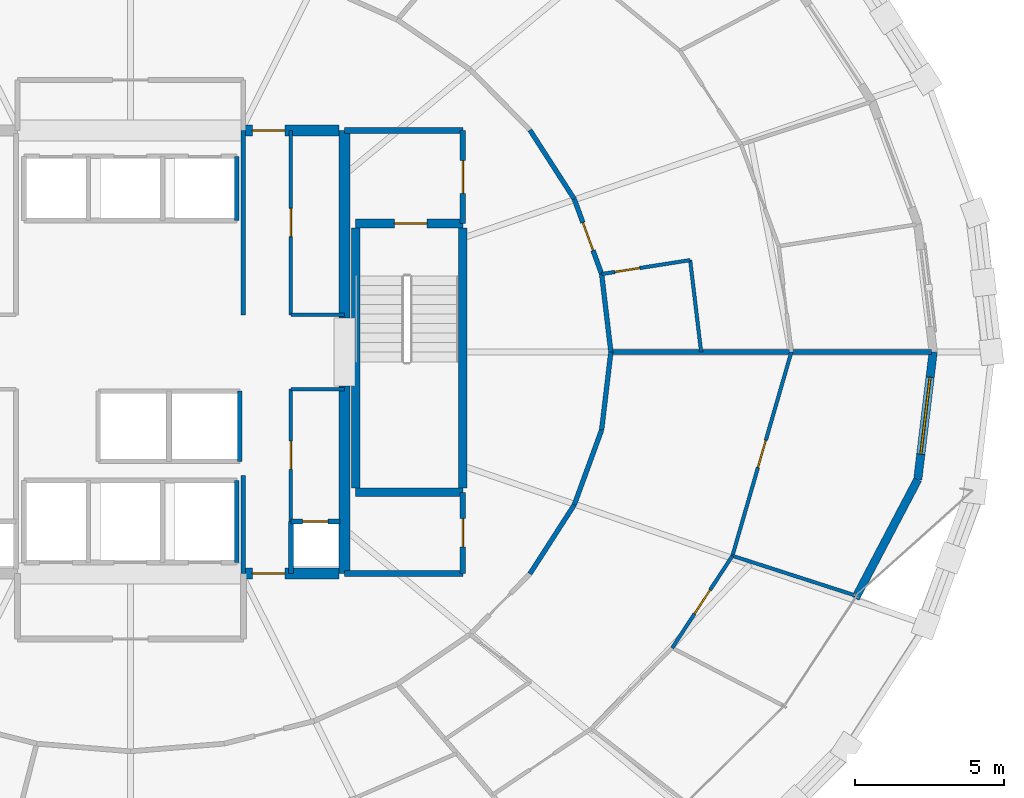
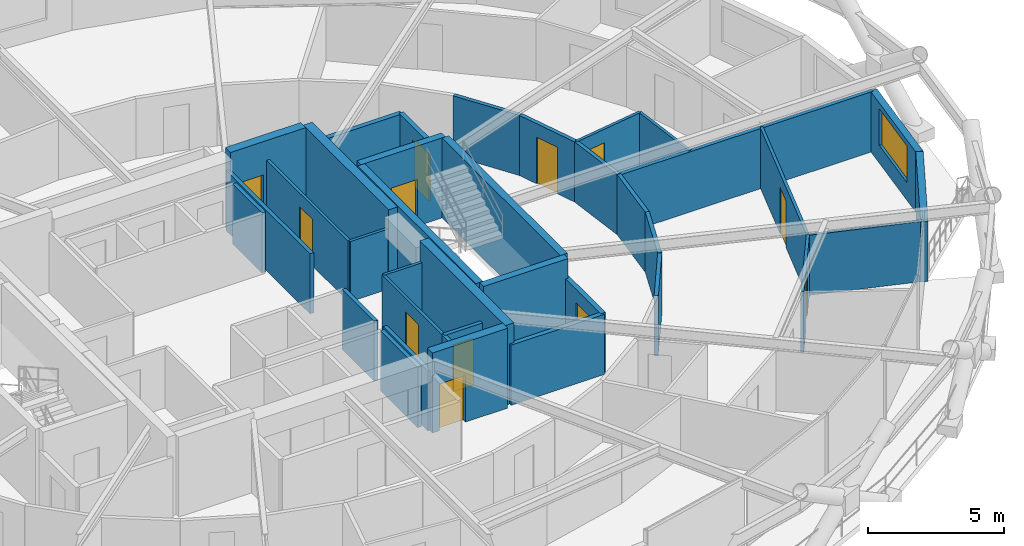
# One storey, part 17 of 21: 37 walls, 12 doors, 1 window, 13 openings.
"""IFC4 building model written with IfcOpenShell, lengths in metres."""

from ifc_helpers import new_model, si_unit, direction, frame, frame_2d, origin, place, context, subcontext, project, spatial, rectangle, extrude, material, layer, layer_set, type_object, element, fill, save


model = new_model("IFC4")

# Units and contexts
model_context = context("Model", 3, precision=1e-05, world=origin(), true_north=direction((0.0, 1.0)))
body_context = subcontext(model_context, "Body", "Model", "MODEL_VIEW")
ifc_project = project(units=[si_unit("LENGTHUNIT", "METRE"), si_unit("AREAUNIT", "SQUARE_METRE"), si_unit("VOLUMEUNIT", "CUBIC_METRE"), si_unit("PLANEANGLEUNIT", "RADIAN"), si_unit("MASSUNIT", "GRAM", prefix="KILO")], contexts=[model_context])

# Site, building, storey
site_placement = place(None, origin())
site = spatial("IfcSite", under=ifc_project, at=site_placement, CompositionType="ELEMENT")
building_placement = place(site_placement, origin())
building = spatial("IfcBuilding", under=site, at=building_placement, Name="Veldorina Hangang Commons", CompositionType="ELEMENT")
storey_placement = place(building_placement, frame((0.0, 0.0, 73.60009765625)))
storey = spatial("IfcBuildingStorey", under=building, at=storey_placement, Name="L18", CompositionType="ELEMENT", Elevation=73.60009765625)

# Walls
ifc_material_1 = material(Name="Concrete C70/85", Category="concrete")
ifc_layer_1 = layer(ifc_material_1, 0.3798828125)
ifc_layer_set_1 = layer_set([ifc_layer_1], Name="Concrete C70/85")
wall_type_1 = type_object("IfcWallType", Name="CW-RC380-C70", PredefinedType="SHEAR", material=ifc_layer_set_1)
for number, where, z_axis, x_axis, name in (
    (1, (39.199951171875, 16.550048828125, 0.0), (0.0, 0.0, 1.0), (0.0, 1.0, 0.0), "L18 E south core shear wall"),
    (2, (39.199951171875, 25.14990234375, 0.0), (0.0, 0.0, 1.0), (0.0, 1.0, 0.0), "L18 E north core shear wall"),
):
    element("IfcWall", number, at=place(storey_placement, frame(where, z_axis=z_axis, x_axis=x_axis)), inside=storey, type_object=wall_type_1, Name=name, PredefinedType="SHEAR", context=body_context, shape_type="SweptSolid", body=[
        extrude(rectangle(XDim=6.300048828125, YDim=0.3798828125, at=frame_2d((3.14990234375, 0.0))), origin(), (0.0, 0.0, 1.0), 3.599853515625),
    ])

# Wall, opening, door
wall_1_placement = place(storey_placement, frame((35.800048828125, 16.550048828125, 0.0), z_axis=(0.0, 0.0, 1.0), x_axis=(1.0, 0.0, 0.0)))
wall_1 = element("IfcWall", 3, at=wall_1_placement, inside=storey, type_object=wall_type_1, Name="L18 south-east core shear wall", PredefinedType="SHEAR", context=body_context, shape_type="SweptSolid", body=[
    extrude(rectangle(XDim=3.2099609375, YDim=0.3798828125, at=frame_2d((1.60498046875, 0.0))), origin(), (0.0, 0.0, 1.0), 3.599853515625),
])
opening_1_placement = place(wall_1_placement, frame((0.300048828125, 0.0, 0.0)))
opening_1 = element("IfcOpeningElement", 4, at=opening_1_placement, cuts=wall_1, Name="Opening D-08", PredefinedType="OPENING", context=body_context, shape_type="SweptSolid", body=[
    extrude(rectangle(XDim=1.10009765625, YDim=2.10009765625, at=frame_2d((0.550048828125, 1.050048828125))), frame((0.0, 0.199951171875, 0.0), z_axis=(0.0, -1.0, 0.0), x_axis=(1.0, 0.0, 0.0)), (0.0, 0.0, 1.0), 0.39990234375),
])
ifc_material_2 = material(Name="Steel Fire-Rated Smoke Seal", Category="steel")
door_type_1 = type_object("IfcDoorType", Name="DR-FIRE-1100", OperationType="SINGLE_SWING_RIGHT", PredefinedType="DOOR", material=ifc_material_2)
door_1_placement = place(opening_1_placement, origin())
door_1 = element("IfcDoor", 5, at=door_1_placement, inside=storey, type_object=door_type_1, Name="L18 central lift lobby south corridor door", OperationType="SINGLE_SWING_RIGHT", OverallHeight=2.10009765625, OverallWidth=1.10009765625, PredefinedType="DOOR", context=body_context, shape_type="SweptSolid", body=[
    extrude(rectangle(XDim=1.10009765625, YDim=2.10009765625, at=frame_2d((0.550048828125, 1.050048828125))), frame((0.0, 0.02490234375, 0.0), z_axis=(0.0, -1.0, 0.0), x_axis=(1.0, 0.0, 0.0)), (0.0, 0.0, 1.0), 0.050048828125),
])
fill(opening_1, door_1)

wall_2_placement = place(storey_placement, frame((35.800048828125, 31.449951171875, 0.0), z_axis=(0.0, 0.0, 1.0), x_axis=(1.0, 0.0, 0.0)))
wall_2 = element("IfcWall", 6, at=wall_2_placement, inside=storey, type_object=wall_type_1, Name="L18 north-east core shear wall", PredefinedType="SHEAR", context=body_context, shape_type="SweptSolid", body=[
    extrude(rectangle(XDim=3.2099609375, YDim=0.3798828125, at=frame_2d((1.60498046875, 0.0))), origin(), (0.0, 0.0, 1.0), 3.599853515625),
])
opening_2_placement = place(wall_2_placement, frame((0.300048828125, 0.0, 0.0)))
opening_2 = element("IfcOpeningElement", 7, at=opening_2_placement, cuts=wall_2, Name="Opening D-08", PredefinedType="OPENING", context=body_context, shape_type="SweptSolid", body=[
    extrude(rectangle(XDim=1.10009765625, YDim=2.10009765625, at=frame_2d((0.550048828125, 1.050048828125))), frame((0.0, 0.199951171875, 0.0), z_axis=(0.0, -1.0, 0.0), x_axis=(1.0, 0.0, 0.0)), (0.0, 0.0, 1.0), 0.39990234375),
])
door_2_placement = place(opening_2_placement, origin())
door_2 = element("IfcDoor", 8, at=door_2_placement, inside=storey, type_object=door_type_1, Name="L18 central lift lobby north corridor door", OperationType="SINGLE_SWING_LEFT", OverallHeight=2.10009765625, OverallWidth=1.10009765625, PredefinedType="DOOR", context=body_context, shape_type="SweptSolid", body=[
    extrude(rectangle(XDim=1.10009765625, YDim=2.10009765625, at=frame_2d((0.550048828125, 1.050048828125))), frame((0.0, 0.02490234375, 0.0), z_axis=(0.0, -1.0, 0.0), x_axis=(1.0, 0.0, 0.0)), (0.0, 0.0, 1.0), 0.050048828125),
])
fill(opening_2, door_2)

# Wall
ifc_material_3 = material(Name="Stone Roman Travertine", Category="masonry")
ifc_layer_2 = layer(ifc_material_3, 0.280029296875)
ifc_layer_set_2 = layer_set([ifc_layer_2], Name="Stone Roman Travertine")
wall_type_2 = type_object("IfcWallType", Name="EW-TRAV-280", PredefinedType="STANDARD", material=ifc_layer_set_2)
wall_3_placement = place(storey_placement, frame((56.38671875, 15.712890625, 0.0), z_axis=(0.0, 0.0, 1.0), x_axis=(0.464789355362, 0.885421286813, 0.0)))
element("IfcWall", 9, at=wall_3_placement, inside=storey, type_object=wall_type_2, Name="L18 travertine facade wall 30", PredefinedType="STANDARD", context=body_context, shape_type="SweptSolid", body=[
    extrude(rectangle(XDim=4.511474609375, YDim=0.280029296875, at=frame_2d((2.255859375, 0.0))), origin(), (0.0, 0.0, 1.0), 2.7099609375),
])

# Wall, opening, window
wall_4_placement = place(storey_placement, frame((58.483642578125, 19.70751953125, 0.0), z_axis=(0.0, 0.0, 1.0), x_axis=(0.119989041881, 0.992775216164, 0.0)))
wall_4 = element("IfcWall", 10, at=wall_4_placement, inside=storey, type_object=wall_type_2, Name="L18 travertine facade wall 31", PredefinedType="STANDARD", context=body_context, shape_type="SweptSolid", body=[
    extrude(rectangle(XDim=4.32373046875, YDim=0.280029296875, at=frame_2d((2.161865234375, 0.0))), origin(), (0.0, 0.0, 1.0), 2.7099609375),
])
opening_3_placement = place(wall_4_placement, frame((0.86181640625, 0.0, 0.800048828125)))
opening_3 = element("IfcOpeningElement", 11, at=opening_3_placement, cuts=wall_4, Name="Opening W-02", PredefinedType="OPENING", context=body_context, shape_type="SweptSolid", body=[
    extrude(rectangle(XDim=2.60009765625, YDim=1.64990234375, at=frame_2d((1.300048828125, 0.824951171875))), frame((0.0, 0.14990234375, 0.0), z_axis=(0.0, -1.0, 0.0), x_axis=(1.0, 0.0, 0.0)), (0.0, 0.0, 1.0), 0.300048828125),
])
ifc_material_4 = material(Name="Glass Low-E Triple IGU", Category="glass")
window_type = type_object("IfcWindowType", Name="WIN-TWR-2600", PartitioningType="SINGLE_PANEL", PredefinedType="WINDOW", material=ifc_material_4)
window_placement = place(opening_3_placement, origin())
window = element("IfcWindow", 12, at=window_placement, inside=storey, type_object=window_type, Name="L18 facade window 31", OverallHeight=1.64990234375, OverallWidth=2.60009765625, PartitioningType="SINGLE_PANEL", PredefinedType="WINDOW", context=body_context, shape_type="SweptSolid", body=[
    extrude(rectangle(XDim=2.60009765625, YDim=1.64990234375, at=frame_2d((1.300048828125, 0.824951171875))), frame((0.0, 0.030029296875, 0.0), z_axis=(0.0, -1.0, 0.0), x_axis=(1.0, 0.0, 0.0)), (0.0, 0.0, 1.0), 0.06005859375),
])
fill(opening_3, window)

# Walls
ifc_material_5 = material(Name="Concrete C50/60", Category="concrete")
ifc_layer_3 = layer(ifc_material_5, 0.300048828125)
ifc_layer_set_3 = layer_set([ifc_layer_3], Name="Concrete C50/60")
wall_type_3 = type_object("IfcWallType", Name="SW-STAIR-300", PredefinedType="SHEAR", material=ifc_layer_set_3)
for number, where, z_axis, x_axis, name in (
    (13, (43.179931640625, 19.429931640625, 0.0), (0.0, 0.0, 1.0), (0.0, 1.0, 0.0), "L18 ST2 outer stair shear wall"),
    (14, (39.580078125, 19.429931640625, 0.0), (0.0, 0.0, 1.0), (0.0, 1.0, 0.0), "L18 ST2 inner stair shear wall"),
):
    element("IfcWall", number, at=place(storey_placement, frame(where, z_axis=z_axis, x_axis=x_axis)), inside=storey, type_object=wall_type_3, Name=name, PredefinedType="SHEAR", context=body_context, shape_type="SweptSolid", body=[
        extrude(rectangle(XDim=8.739990234375, YDim=0.300048828125, at=frame_2d((4.3701171875, 0.0))), origin(), (0.0, 0.0, 1.0), 3.599853515625),
    ])
wall_5_placement = place(storey_placement, frame((39.580078125, 19.280029296875, 0.0), z_axis=(0.0, 0.0, 1.0), x_axis=(1.0, 0.0, 0.0)))
element("IfcWall", 15, at=wall_5_placement, inside=storey, type_object=wall_type_3, Name="L18 ST2 south stair shear wall", PredefinedType="SHEAR", context=body_context, shape_type="SweptSolid", body=[
    extrude(rectangle(XDim=3.599853515625, YDim=0.300048828125, at=frame_2d((1.7998046875, 0.0))), origin(), (0.0, 0.0, 1.0), 3.599853515625),
])

# Wall, opening, door
wall_6_placement = place(storey_placement, frame((39.580078125, 28.320068359375, 0.0), z_axis=(0.0, 0.0, 1.0), x_axis=(1.0, 0.0, 0.0)))
wall_6 = element("IfcWall", 16, at=wall_6_placement, inside=storey, type_object=wall_type_3, Name="L18 ST2 north stair shear wall", PredefinedType="SHEAR", context=body_context, shape_type="SweptSolid", body=[
    extrude(rectangle(XDim=3.599853515625, YDim=0.300048828125, at=frame_2d((1.7998046875, 0.0))), origin(), (0.0, 0.0, 1.0), 3.599853515625),
])
opening_4_placement = place(wall_6_placement, frame((1.300048828125, 0.0, 0.0)))
opening_4 = element("IfcOpeningElement", 17, at=opening_4_placement, cuts=wall_6, Name="Opening D-08", PredefinedType="OPENING", context=body_context, shape_type="SweptSolid", body=[
    extrude(rectangle(XDim=1.10009765625, YDim=2.10009765625, at=frame_2d((0.550048828125, 1.050048828125))), frame((0.0, 0.16015625, 0.0), z_axis=(0.0, -1.0, 0.0), x_axis=(1.0, 0.0, 0.0)), (0.0, 0.0, 1.0), 0.320068359375),
])
door_3_placement = place(opening_4_placement, origin())
door_3 = element("IfcDoor", 18, at=door_3_placement, inside=storey, type_object=door_type_1, Name="L18 Special Escape Stair ST-2 door", OperationType="SINGLE_SWING_RIGHT", OverallHeight=2.10009765625, OverallWidth=1.10009765625, PredefinedType="DOOR", context=body_context, shape_type="SweptSolid", body=[
    extrude(rectangle(XDim=1.10009765625, YDim=2.10009765625, at=frame_2d((0.550048828125, 1.050048828125))), frame((0.0, 0.02490234375, 0.0), z_axis=(0.0, -1.0, 0.0), x_axis=(1.0, 0.0, 0.0)), (0.0, 0.0, 1.0), 0.050048828125),
])
fill(opening_4, door_3)

# Walls
ifc_material_6 = material(Name="Gypsum Fire-Rated Twin Stud Wall", Category="gypsum")
ifc_layer_4 = layer(ifc_material_6, 0.159912109375)
ifc_layer_set_4 = layer_set([ifc_layer_4], Name="Gypsum Fire-Rated Twin Stud Wall")
wall_type_4 = type_object("IfcWallType", Name="WL-FIRE-160", PredefinedType="SOLIDWALL", material=ifc_layer_set_4)
wall_7_placement = place(storey_placement, frame((35.800048828125, 16.550048828125, 0.0), z_axis=(0.0, 0.0, 1.0), x_axis=(0.0, 1.0, 0.0)))
element("IfcWall", 19, at=wall_7_placement, inside=storey, type_object=wall_type_4, Name="L18 Lift passage SW wall 009", PredefinedType="SOLIDWALL", context=body_context, shape_type="SweptSolid", body=[
    extrude(rectangle(XDim=3.300048828125, YDim=0.159912109375, at=frame_2d((1.64990234375, 0.0))), origin(), (0.0, 0.0, 1.0), 2.7099609375),
])
wall_8_placement = place(storey_placement, frame((37.39990234375, 16.550048828125, 0.0), z_axis=(0.0, 0.0, 1.0), x_axis=(0.0, 1.0, 0.0)))
element("IfcWall", 20, at=wall_8_placement, inside=storey, type_object=wall_type_4, Name="L18 Lift passage SE stub 010", PredefinedType="SOLIDWALL", context=body_context, shape_type="SweptSolid", body=[
    extrude(rectangle(XDim=1.75, YDim=0.159912109375, at=frame_2d((0.875, 0.0))), origin(), (0.0, 0.0, 1.0), 2.7099609375),
])
wall_9_placement = place(storey_placement, frame((35.800048828125, 25.25, 0.0), z_axis=(0.0, 0.0, 1.0), x_axis=(0.0, 1.0, 0.0)))
element("IfcWall", 21, at=wall_9_placement, inside=storey, type_object=wall_type_4, Name="L18 Lift passage NW wall 011", PredefinedType="SOLIDWALL", context=body_context, shape_type="SweptSolid", body=[
    extrude(rectangle(XDim=6.199951171875, YDim=0.159912109375, at=frame_2d((3.10009765625, 0.0))), origin(), (0.0, 0.0, 1.0), 2.7099609375),
])
wall_10_placement = place(storey_placement, frame((35.580078125, 28.419921875, 0.0), z_axis=(0.0, 0.0, 1.0), x_axis=(0.0, 1.0, 0.0)))
element("IfcWall", 22, at=wall_10_placement, inside=storey, type_object=wall_type_4, Name="L18 PL-L3 east shaft wall 020", PredefinedType="SOLIDWALL", context=body_context, shape_type="SweptSolid", body=[
    extrude(rectangle(XDim=2.16015625, YDim=0.159912109375, at=frame_2d((1.080078125, 0.0))), origin(), (0.0, 0.0, 1.0), 2.7099609375),
])
wall_11_placement = place(storey_placement, frame((35.679931640625, 20.320068359375, 0.0), z_axis=(0.0, 0.0, 1.0), x_axis=(0.0, 1.0, 0.0)))
element("IfcWall", 23, at=wall_11_placement, inside=storey, type_object=wall_type_4, Name="L18 SL-2 east shaft wall 025", PredefinedType="SOLIDWALL", context=body_context, shape_type="SweptSolid", body=[
    extrude(rectangle(XDim=2.35986328125, YDim=0.159912109375, at=frame_2d((1.179931640625, 0.0))), origin(), (0.0, 0.0, 1.0), 2.7099609375),
])
wall_12_placement = place(storey_placement, frame((35.580078125, 16.919921875, 0.0), z_axis=(0.0, 0.0, 1.0), x_axis=(0.0, 1.0, 0.0)))
element("IfcWall", 24, at=wall_12_placement, inside=storey, type_object=wall_type_4, Name="L18 EVL-1 east shaft wall 031", PredefinedType="SOLIDWALL", context=body_context, shape_type="SweptSolid", body=[
    extrude(rectangle(XDim=2.760009765625, YDim=0.159912109375, at=frame_2d((1.3798828125, 0.0))), origin(), (0.0, 0.0, 1.0), 2.7099609375),
])

# Wall, opening, door
wall_13_placement = place(storey_placement, frame((37.39990234375, 18.300048828125, 0.0), z_axis=(0.0, 0.0, 1.0), x_axis=(1.0, 0.0, 0.0)))
wall_13 = element("IfcWall", 25, at=wall_13_placement, inside=storey, type_object=wall_type_4, Name="L18 Plumbing riser wall 037", PredefinedType="SOLIDWALL", context=body_context, shape_type="SweptSolid", body=[
    extrude(rectangle(XDim=1.650146484375, YDim=0.159912109375, at=frame_2d((0.8251953125, 0.0))), origin(), (0.0, 0.0, 1.0), 2.7099609375),
])
opening_5_placement = place(wall_13_placement, frame((0.39501953125, 0.0, 0.0)))
opening_5 = element("IfcOpeningElement", 26, at=opening_5_placement, cuts=wall_13, Name="Opening D-01N", PredefinedType="OPENING", context=body_context, shape_type="SweptSolid", body=[
    extrude(rectangle(XDim=0.860107421875, YDim=2.10009765625, at=frame_2d((0.43017578125, 1.050048828125))), frame((0.0, 0.08984375, 0.0), z_axis=(0.0, -1.0, 0.0), x_axis=(1.0, 0.0, 0.0)), (0.0, 0.0, 1.0), 0.179931640625),
])
ifc_material_7 = material(Name="Timber Fire-Rated Core", Category="wood")
door_type_2 = type_object("IfcDoorType", Name="DR-INT-860", OperationType="SINGLE_SWING_LEFT", PredefinedType="DOOR", material=ifc_material_7)
door_4_placement = place(opening_5_placement, origin())
door_4 = element("IfcDoor", 27, at=door_4_placement, inside=storey, type_object=door_type_2, Name="L18 Plumbing riser access door 014", OperationType="SINGLE_SWING_RIGHT", OverallHeight=2.10009765625, OverallWidth=0.860107421875, PredefinedType="TRAPDOOR", context=body_context, shape_type="SweptSolid", body=[
    extrude(rectangle(XDim=0.860107421875, YDim=2.10009765625, at=frame_2d((0.43017578125, 1.050048828125))), frame((0.0, 0.02490234375, 0.0), z_axis=(0.0, -1.0, 0.0), x_axis=(1.0, 0.0, 0.0)), (0.0, 0.0, 1.0), 0.050048828125),
])
fill(opening_5, door_4)

# Wall
wall_14_placement = place(storey_placement, frame((48.162109375, 24.0, 0.0), z_axis=(0.0, 0.0, 1.0), x_axis=(-0.117667763342, 0.993053018459, 0.0)))
element("IfcWall", 28, at=wall_14_placement, inside=storey, type_object=wall_type_4, Name="L18 Corridor outer wall 00 045", PredefinedType="SOLIDWALL", context=body_context, shape_type="SweptSolid", body=[
    extrude(rectangle(XDim=2.63916015625, YDim=0.159912109375, at=frame_2d((1.319580078125, 0.0))), origin(), (0.0, 0.0, 1.0), 2.7099609375),
])

# Wall, opening, door
wall_15_placement = place(storey_placement, frame((47.8515625, 26.620849609375, 0.0), z_axis=(0.0, 0.0, 1.0), x_axis=(-0.342882618672, 0.939378257047, 0.0)))
wall_15 = element("IfcWall", 29, at=wall_15_placement, inside=storey, type_object=wall_type_4, Name="L18 Corridor outer wall 01 046", PredefinedType="SOLIDWALL", context=body_context, shape_type="SweptSolid", body=[
    extrude(rectangle(XDim=2.682861328125, YDim=0.159912109375, at=frame_2d((1.34130859375, 0.0))), origin(), (0.0, 0.0, 1.0), 2.7099609375),
])
opening_6_placement = place(wall_15_placement, frame((0.84130859375, 0.0, 0.0)))
opening_6 = element("IfcOpeningElement", 30, at=opening_6_placement, cuts=wall_15, Name="Opening D-06", PredefinedType="OPENING", context=body_context, shape_type="SweptSolid", body=[
    extrude(rectangle(XDim=1.0, YDim=2.10009765625, at=frame_2d((0.5, 1.050048828125))), frame((0.0, 0.08984375, 0.0), z_axis=(0.0, -1.0, 0.0), x_axis=(1.0, 0.0, 0.0)), (0.0, 0.0, 1.0), 0.179931640625),
])
ifc_material_8 = material(Name="Timber Fire-Rated Entrance Core", Category="wood")
door_type_3 = type_object("IfcDoorType", Name="DR-UNIT-1000", OperationType="SINGLE_SWING_LEFT", PredefinedType="DOOR", material=ifc_material_8)
door_5_placement = place(opening_6_placement, origin())
door_5 = element("IfcDoor", 31, at=door_5_placement, inside=storey, type_object=door_type_3, Name="L18 Cluster 3 entrance door 028", OperationType="SINGLE_SWING_RIGHT", OverallHeight=2.10009765625, OverallWidth=1.0, PredefinedType="DOOR", context=body_context, shape_type="SweptSolid", body=[
    extrude(rectangle(XDim=1.0, YDim=2.10009765625, at=frame_2d((0.5, 1.050048828125))), frame((0.0, 0.02490234375, 0.0), z_axis=(0.0, -1.0, 0.0), x_axis=(1.0, 0.0, 0.0)), (0.0, 0.0, 1.0), 0.050048828125),
])
fill(opening_6, door_5)

# Walls
for number, where, z_axis, x_axis, name in (
    (32, (46.931640625, 29.14111328125, 0.0), (0.0, 0.0, 1.0), (-0.540891657444, 0.841092274907, 0.0), "L18 Corridor outer wall 02 047"),
    (33, (45.438232421875, 16.53662109375, 0.0), (0.0, 0.0, 1.0), (0.540891657444, 0.841092274907, 0.0), "L18 Corridor outer wall 29 074"),
):
    element("IfcWall", number, at=place(storey_placement, frame(where, z_axis=z_axis, x_axis=x_axis)), inside=storey, type_object=wall_type_4, Name=name, PredefinedType="SOLIDWALL", context=body_context, shape_type="SweptSolid", body=[
        extrude(rectangle(XDim=2.760986328125, YDim=0.159912109375, at=frame_2d((1.38037109375, 0.0))), origin(), (0.0, 0.0, 1.0), 2.7099609375),
    ])
wall_16_placement = place(storey_placement, frame((46.931640625, 18.85888671875, 0.0), z_axis=(0.0, 0.0, 1.0), x_axis=(0.342882618672, 0.939378257047, 0.0)))
element("IfcWall", 34, at=wall_16_placement, inside=storey, type_object=wall_type_4, Name="L18 Corridor outer wall 30 075", PredefinedType="SOLIDWALL", context=body_context, shape_type="SweptSolid", body=[
    extrude(rectangle(XDim=2.682861328125, YDim=0.159912109375, at=frame_2d((1.34130859375, 0.0))), origin(), (0.0, 0.0, 1.0), 2.7099609375),
])
wall_17_placement = place(storey_placement, frame((47.8515625, 21.379150390625, 0.0), z_axis=(0.0, 0.0, 1.0), x_axis=(0.117667763342, 0.993053018459, 0.0)))
element("IfcWall", 35, at=wall_17_placement, inside=storey, type_object=wall_type_4, Name="L18 Corridor outer wall 31 076", PredefinedType="SOLIDWALL", context=body_context, shape_type="SweptSolid", body=[
    extrude(rectangle(XDim=2.63916015625, YDim=0.159912109375, at=frame_2d((1.319580078125, 0.0))), origin(), (0.0, 0.0, 1.0), 2.7099609375),
])
wall_18_placement = place(storey_placement, frame((48.162109375, 24.0, 0.0), z_axis=(0.0, 0.0, 1.0), x_axis=(1.0, 0.0, 0.0)))
element("IfcWall", 36, at=wall_18_placement, inside=storey, type_object=wall_type_4, Name="L18 Unit party wall 00 092", PredefinedType="SOLIDWALL", context=body_context, shape_type="SweptSolid", body=[
    extrude(rectangle(XDim=10.790283203125, YDim=0.159912109375, at=frame_2d((5.39501953125, 0.0))), origin(), (0.0, 0.0, 1.0), 2.7099609375),
])

# Wall, opening, door
ifc_material_9 = material(Name="Concrete Blockwork Fire Wall C30/37", Category="masonry")
ifc_layer_5 = layer(ifc_material_9, 0.199951171875)
ifc_layer_set_5 = layer_set([ifc_layer_5], Name="Concrete Blockwork Fire Wall C30/37")
wall_type_5 = type_object("IfcWallType", Name="WL-FIRE-200", PredefinedType="SOLIDWALL", material=ifc_layer_set_5)
wall_19_placement = place(storey_placement, frame((43.179931640625, 28.320068359375, 0.0), z_axis=(0.0, 0.0, 1.0), x_axis=(0.0, 1.0, 0.0)))
wall_19 = element("IfcWall", 37, at=wall_19_placement, inside=storey, type_object=wall_type_5, Name="L18 East vestibule outer wall 003", PredefinedType="SOLIDWALL", context=body_context, shape_type="SweptSolid", body=[
    extrude(rectangle(XDim=3.1298828125, YDim=0.199951171875, at=frame_2d((1.56494140625, 0.0))), origin(), (0.0, 0.0, 1.0), 2.7099609375),
])
opening_7_placement = place(wall_19_placement, frame((1.014892578125, 0.0, 0.0)))
opening_7 = element("IfcOpeningElement", 38, at=opening_7_placement, cuts=wall_19, Name="Opening D-08", PredefinedType="OPENING", context=body_context, shape_type="SweptSolid", body=[
    extrude(rectangle(XDim=1.10009765625, YDim=2.10009765625, at=frame_2d((0.550048828125, 1.050048828125))), frame((0.0, 0.10986328125, 0.0), z_axis=(0.0, -1.0, 0.0), x_axis=(1.0, 0.0, 0.0)), (0.0, 0.0, 1.0), 0.219970703125),
])
door_6_placement = place(opening_7_placement, origin())
door_6 = element("IfcDoor", 39, at=door_6_placement, inside=storey, type_object=door_type_1, Name="L18 East vestibule east door 002", OperationType="SINGLE_SWING_RIGHT", OverallHeight=2.10009765625, OverallWidth=1.10009765625, PredefinedType="DOOR", context=body_context, shape_type="SweptSolid", body=[
    extrude(rectangle(XDim=1.10009765625, YDim=2.10009765625, at=frame_2d((0.550048828125, 1.050048828125))), frame((0.0, 0.02490234375, 0.0), z_axis=(0.0, -1.0, 0.0), x_axis=(1.0, 0.0, 0.0)), (0.0, 0.0, 1.0), 0.050048828125),
])
fill(opening_7, door_6)

# Wall
wall_20_placement = place(storey_placement, frame((39.199951171875, 31.449951171875, 0.0), z_axis=(0.0, 0.0, 1.0), x_axis=(1.0, 0.0, 0.0)))
element("IfcWall", 40, at=wall_20_placement, inside=storey, type_object=wall_type_5, Name="L18 East vestibule north wall 004", PredefinedType="SOLIDWALL", context=body_context, shape_type="SweptSolid", body=[
    extrude(rectangle(XDim=3.97998046875, YDim=0.199951171875, at=frame_2d((1.989990234375, 0.0))), origin(), (0.0, 0.0, 1.0), 2.7099609375),
])

# Wall, opening, door
wall_21_placement = place(storey_placement, frame((43.179931640625, 16.550048828125, 0.0), z_axis=(0.0, 0.0, 1.0), x_axis=(0.0, 1.0, 0.0)))
wall_21 = element("IfcWall", 41, at=wall_21_placement, inside=storey, type_object=wall_type_5, Name="L18 SE core room outer wall 007", PredefinedType="SOLIDWALL", context=body_context, shape_type="SweptSolid", body=[
    extrude(rectangle(XDim=2.72998046875, YDim=0.199951171875, at=frame_2d((1.364990234375, 0.0))), origin(), (0.0, 0.0, 1.0), 2.7099609375),
])
opening_8_placement = place(wall_21_placement, frame((0.889892578125, 0.0, 0.0)))
opening_8 = element("IfcOpeningElement", 42, at=opening_8_placement, cuts=wall_21, Name="Opening D-02", PredefinedType="OPENING", context=body_context, shape_type="SweptSolid", body=[
    extrude(rectangle(XDim=0.949951171875, YDim=2.10009765625, at=frame_2d((0.47509765625, 1.050048828125))), frame((0.0, 0.10986328125, 0.0), z_axis=(0.0, -1.0, 0.0), x_axis=(1.0, 0.0, 0.0)), (0.0, 0.0, 1.0), 0.219970703125),
])
ifc_material_10 = material(Name="Timber Solid Core Acoustic", Category="wood")
door_type_4 = type_object("IfcDoorType", Name="DR-INT-950", OperationType="SINGLE_SWING_LEFT", PredefinedType="DOOR", material=ifc_material_10)
door_7_placement = place(opening_8_placement, origin())
door_7 = element("IfcDoor", 43, at=door_7_placement, inside=storey, type_object=door_type_4, Name="L18 SE core WC door 004", OperationType="SINGLE_SWING_RIGHT", OverallHeight=2.10009765625, OverallWidth=0.949951171875, PredefinedType="DOOR", context=body_context, shape_type="SweptSolid", body=[
    extrude(rectangle(XDim=0.949951171875, YDim=2.10009765625, at=frame_2d((0.47509765625, 1.050048828125))), frame((0.0, 0.02490234375, 0.0), z_axis=(0.0, -1.0, 0.0), x_axis=(1.0, 0.0, 0.0)), (0.0, 0.0, 1.0), 0.050048828125),
])
fill(opening_8, door_7)

# Wall
wall_22_placement = place(storey_placement, frame((39.199951171875, 16.550048828125, 0.0), z_axis=(0.0, 0.0, 1.0), x_axis=(1.0, 0.0, 0.0)))
element("IfcWall", 44, at=wall_22_placement, inside=storey, type_object=wall_type_5, Name="L18 SE core room south wall 008", PredefinedType="SOLIDWALL", context=body_context, shape_type="SweptSolid", body=[
    extrude(rectangle(XDim=3.97998046875, YDim=0.199951171875, at=frame_2d((1.989990234375, 0.0))), origin(), (0.0, 0.0, 1.0), 2.7099609375),
])

# Wall, opening, door
ifc_material_11 = material(Name="Gypsum Acoustic Stud Partition", Category="gypsum")
ifc_layer_6 = layer(ifc_material_11, 0.1201171875)
ifc_layer_set_6 = layer_set([ifc_layer_6], Name="Gypsum Acoustic Stud Partition")
wall_type_6 = type_object("IfcWallType", Name="WL-PART-120", PredefinedType="PARTITIONING", material=ifc_layer_set_6)
wall_23_placement = place(storey_placement, frame((37.39990234375, 25.25, 0.0), z_axis=(0.0, 0.0, 1.0), x_axis=(0.0, 1.0, 0.0)))
wall_23 = element("IfcWall", 45, at=wall_23_placement, inside=storey, type_object=wall_type_6, Name="L18 NE strip lobby wall 041", PredefinedType="PARTITIONING", context=body_context, shape_type="SweptSolid", body=[
    extrude(rectangle(XDim=6.199951171875, YDim=0.1201171875, at=frame_2d((3.10009765625, 0.0))), origin(), (0.0, 0.0, 1.0), 2.7099609375),
])
opening_9_placement = place(wall_23_placement, frame((2.625, 0.0, 0.0)))
opening_9 = element("IfcOpeningElement", 46, at=opening_9_placement, cuts=wall_23, Name="Opening D-02", PredefinedType="OPENING", context=body_context, shape_type="SweptSolid", body=[
    extrude(rectangle(XDim=0.949951171875, YDim=2.10009765625, at=frame_2d((0.47509765625, 1.050048828125))), frame((0.0, 0.070068359375, 0.0), z_axis=(0.0, -1.0, 0.0), x_axis=(1.0, 0.0, 0.0)), (0.0, 0.0, 1.0), 0.14013671875),
])
door_8_placement = place(opening_9_placement, origin())
door_8 = element("IfcDoor", 47, at=door_8_placement, inside=storey, type_object=door_type_4, Name="L18 Comms room door 017", OperationType="SINGLE_SWING_LEFT", OverallHeight=2.10009765625, OverallWidth=0.949951171875, PredefinedType="DOOR", context=body_context, shape_type="SweptSolid", body=[
    extrude(rectangle(XDim=0.949951171875, YDim=2.10009765625, at=frame_2d((0.47509765625, 1.050048828125))), frame((0.0, 0.02490234375, 0.0), z_axis=(0.0, -1.0, 0.0), x_axis=(1.0, 0.0, 0.0)), (0.0, 0.0, 1.0), 0.050048828125),
])
fill(opening_9, door_8)

# Wall
wall_24_placement = place(storey_placement, frame((37.39990234375, 25.25, 0.0), z_axis=(0.0, 0.0, 1.0), x_axis=(1.0, 0.0, 0.0)))
element("IfcWall", 48, at=wall_24_placement, inside=storey, type_object=wall_type_6, Name="L18 NE strip south return wall 042", PredefinedType="PARTITIONING", context=body_context, shape_type="SweptSolid", body=[
    extrude(rectangle(XDim=1.800048828125, YDim=0.1201171875, at=frame_2d((0.89990234375, 0.0))), origin(), (0.0, 0.0, 1.0), 2.7099609375),
])

# Wall, opening, door
wall_25_placement = place(storey_placement, frame((37.39990234375, 18.300048828125, 0.0), z_axis=(0.0, 0.0, 1.0), x_axis=(0.0, 1.0, 0.0)))
wall_25 = element("IfcWall", 49, at=wall_25_placement, inside=storey, type_object=wall_type_6, Name="L18 SE strip lobby wall 043", PredefinedType="PARTITIONING", context=body_context, shape_type="SweptSolid", body=[
    extrude(rectangle(XDim=4.449951171875, YDim=0.1201171875, at=frame_2d((2.22509765625, 0.0))), origin(), (0.0, 0.0, 1.0), 2.7099609375),
])
opening_10_placement = place(wall_25_placement, frame((1.75, 0.0, 0.0)))
opening_10 = element("IfcOpeningElement", 50, at=opening_10_placement, cuts=wall_25, Name="Opening D-02", PredefinedType="OPENING", context=body_context, shape_type="SweptSolid", body=[
    extrude(rectangle(XDim=0.949951171875, YDim=2.10009765625, at=frame_2d((0.47509765625, 1.050048828125))), frame((0.0, 0.070068359375, 0.0), z_axis=(0.0, -1.0, 0.0), x_axis=(1.0, 0.0, 0.0)), (0.0, 0.0, 1.0), 0.14013671875),
])
door_9_placement = place(opening_10_placement, origin())
door_9 = element("IfcDoor", 51, at=door_9_placement, inside=storey, type_object=door_type_4, Name="L18 BMS closet door 018", OperationType="SINGLE_SWING_RIGHT", OverallHeight=2.10009765625, OverallWidth=0.949951171875, PredefinedType="DOOR", context=body_context, shape_type="SweptSolid", body=[
    extrude(rectangle(XDim=0.949951171875, YDim=2.10009765625, at=frame_2d((0.47509765625, 1.050048828125))), frame((0.0, 0.02490234375, 0.0), z_axis=(0.0, -1.0, 0.0), x_axis=(1.0, 0.0, 0.0)), (0.0, 0.0, 1.0), 0.050048828125),
])
fill(opening_10, door_9)

# Wall
wall_26_placement = place(storey_placement, frame((37.39990234375, 22.75, 0.0), z_axis=(0.0, 0.0, 1.0), x_axis=(1.0, 0.0, 0.0)))
element("IfcWall", 52, at=wall_26_placement, inside=storey, type_object=wall_type_6, Name="L18 SE strip north return wall 044", PredefinedType="PARTITIONING", context=body_context, shape_type="SweptSolid", body=[
    extrude(rectangle(XDim=1.800048828125, YDim=0.1201171875, at=frame_2d((0.89990234375, 0.0))), origin(), (0.0, 0.0, 1.0), 2.7099609375),
])

# Wall, opening, door
wall_27_placement = place(storey_placement, frame((50.22509765625, 14.044921875, 0.0), z_axis=(0.0, 0.0, 1.0), x_axis=(0.547219150068, 0.836989367793, 0.0)))
wall_27 = element("IfcWall", 53, at=wall_27_placement, inside=storey, type_object=wall_type_6, Name="L18 Cluster 2 bed 3 front wall 088", PredefinedType="PARTITIONING", context=body_context, shape_type="SweptSolid", body=[
    extrude(rectangle(XDim=3.701171875, YDim=0.1201171875, at=frame_2d((1.8505859375, 0.0))), origin(), (0.0, 0.0, 1.0), 2.7099609375),
])
opening_11_placement = place(wall_27_placement, frame((1.37548828125, 0.0, 0.0)))
opening_11 = element("IfcOpeningElement", 54, at=opening_11_placement, cuts=wall_27, Name="Opening D-02", PredefinedType="OPENING", context=body_context, shape_type="SweptSolid", body=[
    extrude(rectangle(XDim=0.949951171875, YDim=2.10009765625, at=frame_2d((0.47509765625, 1.050048828125))), frame((0.0, 0.070068359375, 0.0), z_axis=(0.0, -1.0, 0.0), x_axis=(1.0, 0.0, 0.0)), (0.0, 0.0, 1.0), 0.14013671875),
])
door_10_placement = place(opening_11_placement, origin())
door_10 = element("IfcDoor", 55, at=door_10_placement, inside=storey, type_object=door_type_4, Name="L18 Cluster 2 bed 3 door 025", OperationType="SINGLE_SWING_LEFT", OverallHeight=2.10009765625, OverallWidth=0.949951171875, PredefinedType="DOOR", context=body_context, shape_type="SweptSolid", body=[
    extrude(rectangle(XDim=0.949951171875, YDim=2.10009765625, at=frame_2d((0.47509765625, 1.050048828125))), frame((0.0, 0.02490234375, 0.0), z_axis=(0.0, -1.0, 0.0), x_axis=(1.0, 0.0, 0.0)), (0.0, 0.0, 1.0), 0.050048828125),
])
fill(opening_11, door_10)

wall_28_placement = place(storey_placement, frame((52.25048828125, 17.142822265625, 0.0), z_axis=(0.0, 0.0, 1.0), x_axis=(0.277696791091, 0.960668773417, 0.0)))
wall_28 = element("IfcWall", 56, at=wall_28_placement, inside=storey, type_object=wall_type_6, Name="L18 Cluster 2 bed 4 front wall 090", PredefinedType="PARTITIONING", context=body_context, shape_type="SweptSolid", body=[
    extrude(rectangle(XDim=7.137939453125, YDim=0.1201171875, at=frame_2d((3.56884765625, 0.0))), origin(), (0.0, 0.0, 1.0), 2.7099609375),
])
opening_12_placement = place(wall_28_placement, frame((3.093994140625, 0.0, 0.0)))
opening_12 = element("IfcOpeningElement", 57, at=opening_12_placement, cuts=wall_28, Name="Opening D-02", PredefinedType="OPENING", context=body_context, shape_type="SweptSolid", body=[
    extrude(rectangle(XDim=0.949951171875, YDim=2.10009765625, at=frame_2d((0.47509765625, 1.050048828125))), frame((0.0, 0.070068359375, 0.0), z_axis=(0.0, -1.0, 0.0), x_axis=(1.0, 0.0, 0.0)), (0.0, 0.0, 1.0), 0.14013671875),
])
door_11_placement = place(opening_12_placement, origin())
door_11 = element("IfcDoor", 58, at=door_11_placement, inside=storey, type_object=door_type_4, Name="L18 Cluster 2 bed 4 door 026", OperationType="SINGLE_SWING_RIGHT", OverallHeight=2.10009765625, OverallWidth=0.949951171875, PredefinedType="DOOR", context=body_context, shape_type="SweptSolid", body=[
    extrude(rectangle(XDim=0.949951171875, YDim=2.10009765625, at=frame_2d((0.47509765625, 1.050048828125))), frame((0.0, 0.02490234375, 0.0), z_axis=(0.0, -1.0, 0.0), x_axis=(1.0, 0.0, 0.0)), (0.0, 0.0, 1.0), 0.050048828125),
])
fill(opening_12, door_11)

# Walls
wall_29_placement = place(storey_placement, frame((52.25048828125, 17.142822265625, 0.0), z_axis=(0.0, 0.0, 1.0), x_axis=(0.951692715454, -0.307052072704, 0.0)))
element("IfcWall", 59, at=wall_29_placement, inside=storey, type_object=wall_type_6, Name="L18 Cluster 2 bed divider 3 091", PredefinedType="PARTITIONING", context=body_context, shape_type="SweptSolid", body=[
    extrude(rectangle(XDim=4.34130859375, YDim=0.1201171875, at=frame_2d((2.170654296875, 0.0))), origin(), (0.0, 0.0, 1.0), 2.7099609375),
])
wall_30_placement = place(storey_placement, frame((51.197265625, 24.0, 0.0), z_axis=(0.0, 0.0, 1.0), x_axis=(-0.118507685269, 0.992953135114, 0.0)))
element("IfcWall", 60, at=wall_30_placement, inside=storey, type_object=wall_type_6, Name="L18 Cluster 3 bath front wall 093", PredefinedType="PARTITIONING", context=body_context, shape_type="SweptSolid", body=[
    extrude(rectangle(XDim=3.11083984375, YDim=0.1201171875, at=frame_2d((1.555419921875, 0.0))), origin(), (0.0, 0.0, 1.0), 2.7099609375),
])

# Wall, opening, door
wall_31_placement = place(storey_placement, frame((47.8515625, 26.620849609375, 0.0), z_axis=(0.0, 0.0, 1.0), x_axis=(0.987867184376, 0.15530108188, 0.0)))
wall_31 = element("IfcWall", 61, at=wall_31_placement, inside=storey, type_object=wall_type_6, Name="L18 Cluster 3 bath side wall 094", PredefinedType="PARTITIONING", context=body_context, shape_type="SweptSolid", body=[
    extrude(rectangle(XDim=3.013671875, YDim=0.1201171875, at=frame_2d((1.5068359375, 0.0))), origin(), (0.0, 0.0, 1.0), 2.7099609375),
])
opening_13_placement = place(wall_31_placement, frame((0.43994140625, 0.0, 0.0)))
opening_13 = element("IfcOpeningElement", 62, at=opening_13_placement, cuts=wall_31, Name="Opening D-01", PredefinedType="OPENING", context=body_context, shape_type="SweptSolid", body=[
    extrude(rectangle(XDim=0.860107421875, YDim=2.10009765625, at=frame_2d((0.43017578125, 1.050048828125))), frame((0.0, 0.070068359375, 0.0), z_axis=(0.0, -1.0, 0.0), x_axis=(1.0, 0.0, 0.0)), (0.0, 0.0, 1.0), 0.14013671875),
])
ifc_material_12 = material(Name="Timber Moisture-Resistant Core", Category="wood")
door_type_5 = type_object("IfcDoorType", Name="DR-WET-860", OperationType="SINGLE_SWING_LEFT", PredefinedType="DOOR", material=ifc_material_12)
door_12_placement = place(opening_13_placement, origin())
door_12 = element("IfcDoor", 63, at=door_12_placement, inside=storey, type_object=door_type_5, Name="L18 Cluster 3 shared bathroom door 027", OperationType="SINGLE_SWING_LEFT", OverallHeight=2.10009765625, OverallWidth=0.860107421875, PredefinedType="DOOR", context=body_context, shape_type="SweptSolid", body=[
    extrude(rectangle(XDim=0.860107421875, YDim=2.10009765625, at=frame_2d((0.43017578125, 1.050048828125))), frame((0.0, 0.02490234375, 0.0), z_axis=(0.0, -1.0, 0.0), x_axis=(1.0, 0.0, 0.0)), (0.0, 0.0, 1.0), 0.050048828125),
])
fill(opening_13, door_12)

save(model, "model.ifc")
